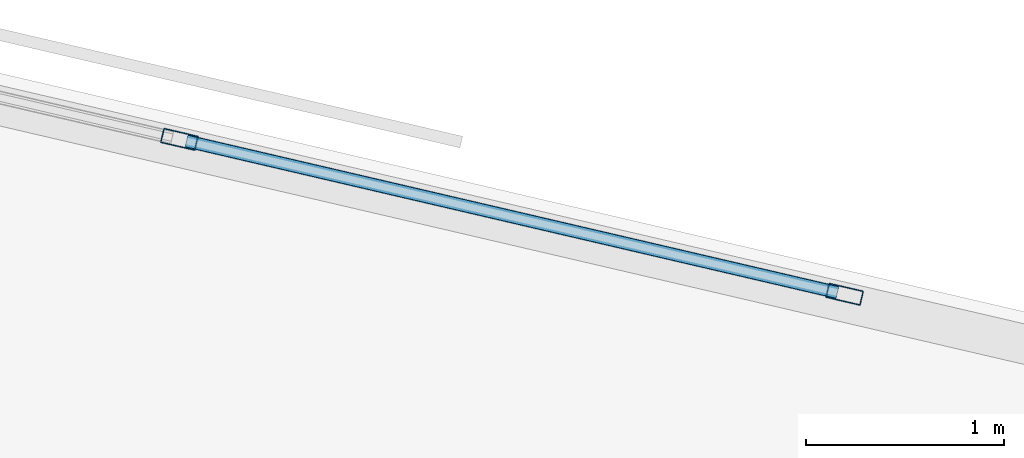
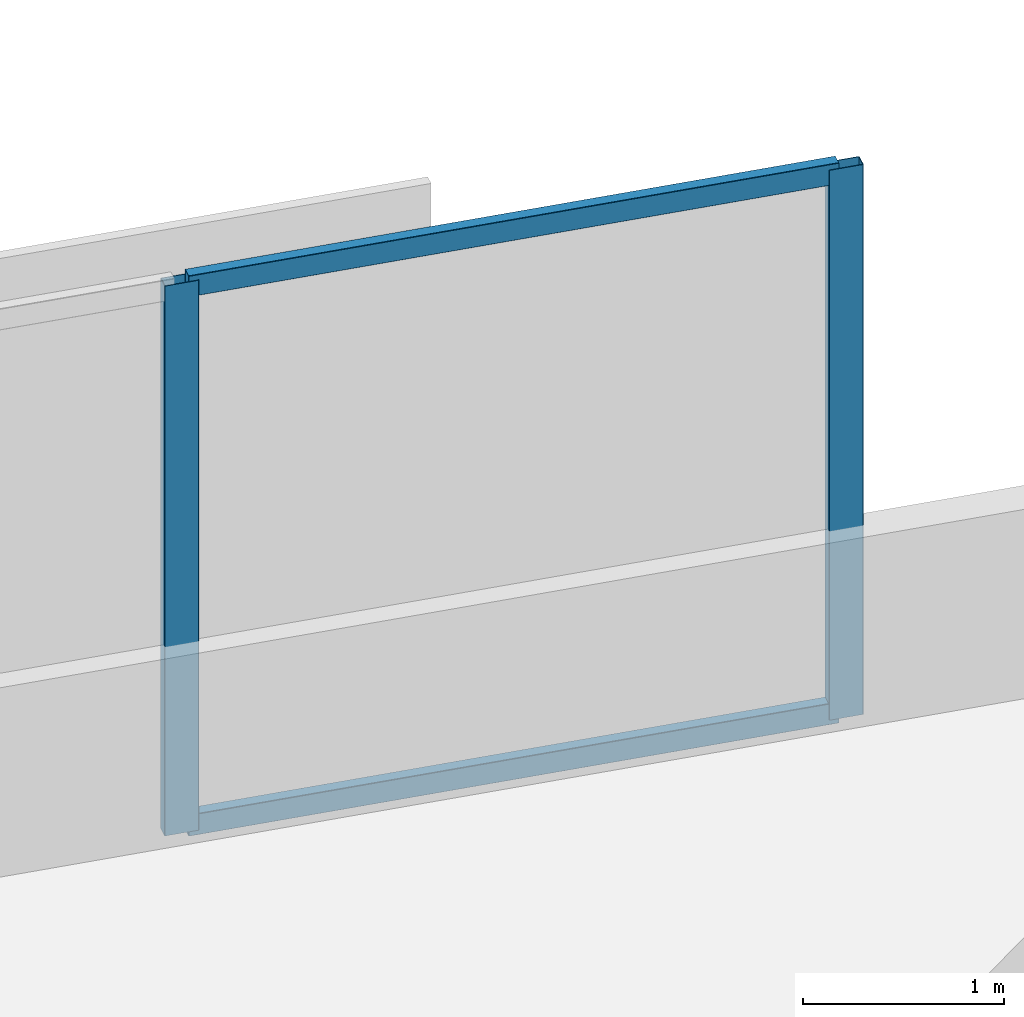
# One storey, part 2 of 14: 4 members, 1 element without a shape of its own.
"""IFC4 building model written with IfcOpenShell, lengths in metres."""

import ifcopenshell
import ifcopenshell.guid

model = None  # the IFC model being written
_history = None  # IfcOwnerHistory: only IFC2X3 demands one
_inside = {}  # id of a spatial element -> (the spatial element, [elements in it])
_under = {}  # id of a project, library or spatial element -> (it, [spatial elements below it])
_declared = {}  # id of a project -> (the project, [libraries it declares])
_typed = {}  # id of a type object -> (the type object, [elements of that type])
_made_of = {}  # id of a material, layer set ... -> (it, [elements and type objects made of it])


def new_model(schema):
    """Start an empty IFC model of exactly this schema.

    Asked for "IFC4X3", IfcOpenShell would pick the latest addendum, in which some entities
    have other attributes; the version numbers below select the first issue.
    IFC2X3 requires an IfcOwnerHistory on every rooted entity: one is made here for all.
    """
    global model, _history
    if schema == "IFC4X3":
        model = ifcopenshell.file(schema_version=(4, 3, 0, 0))
    else:
        model = ifcopenshell.file(schema=schema)
    _inside.clear()
    _under.clear()
    _declared.clear()
    _typed.clear()
    _made_of.clear()
    _history = None
    if model.schema == "IFC2X3":
        org = make("IfcOrganization", Name="unknown")
        user = make(
            "IfcPersonAndOrganization",
            ThePerson=make("IfcPerson", FamilyName="unknown"),
            TheOrganization=org,
        )
        app = make(
            "IfcApplication",
            ApplicationDeveloper=org,
            Version="unknown",
            ApplicationFullName="unknown",
            ApplicationIdentifier="unknown",
        )
        _history = make(
            "IfcOwnerHistory",
            OwningUser=user,
            OwningApplication=app,
            ChangeAction="ADDED",
            CreationDate=0,
        )
    return model


def make(cls, **values):
    """One entity of the class cls with the attributes given. An attribute that is None is left unset."""
    return model.create_entity(
        cls, **{name: value for name, value in values.items() if value is not None}
    )


def rooted(cls, **values):
    """An entity with a GlobalId (a new one), such as an element, a storey or a relation."""
    return make(cls, GlobalId=ifcopenshell.guid.new(), OwnerHistory=_history, **values)


def si_unit(unit_type, name, prefix=None):
    """IfcSIUnit, for example si_unit("LENGTHUNIT", "METRE", prefix="MILLI")."""
    return make("IfcSIUnit", UnitType=unit_type, Prefix=prefix, Name=name)


def assignment(units):
    """IfcUnitAssignment: the units of a project."""
    return None if units is None else make("IfcUnitAssignment", Units=units)


def point(xyz):
    """IfcCartesianPoint."""
    return None if xyz is None else make("IfcCartesianPoint", Coordinates=xyz)


def direction(xyz):
    """IfcDirection."""
    return None if xyz is None else make("IfcDirection", DirectionRatios=xyz)


def frame(location, z_axis=None, x_axis=None):
    """IfcAxis2Placement3D, a coordinate frame: its origin and axes. An axis left out is left unset."""
    return make(
        "IfcAxis2Placement3D",
        Location=point(location),
        Axis=direction(z_axis),
        RefDirection=direction(x_axis),
    )


def frame_2d(location, x_axis=None):
    """IfcAxis2Placement2D, a coordinate frame in the plane: its origin and x axis."""
    return make(
        "IfcAxis2Placement2D", Location=point(location), RefDirection=direction(x_axis)
    )


def origin():
    """The frame at (0, 0, 0) with its axes left unset."""
    return frame((0.0, 0.0, 0.0))


def origin_2d():
    """The frame at (0, 0) in the plane with its x axis left unset."""
    return frame_2d((0.0, 0.0))


def place(relative_to, where):
    """IfcLocalPlacement: puts the frame where relative to a parent placement (None: the world)."""
    return make(
        "IfcLocalPlacement", PlacementRelTo=relative_to, RelativePlacement=where
    )


def context(
    kind, dimensions, precision=None, world=None, true_north=None, identifier=None
):
    """IfcGeometricRepresentationContext, for example the 3D "Model" context."""
    return make(
        "IfcGeometricRepresentationContext",
        ContextIdentifier=identifier,
        ContextType=kind,
        CoordinateSpaceDimension=dimensions,
        Precision=precision,
        WorldCoordinateSystem=world,
        TrueNorth=true_north,
    )


def subcontext(parent, identifier, kind, view, scale=None):
    """IfcGeometricRepresentationSubContext, for example "Body" below "Model"."""
    return make(
        "IfcGeometricRepresentationSubContext",
        ContextIdentifier=identifier,
        ContextType=kind,
        ParentContext=parent,
        TargetScale=scale,
        TargetView=view,
    )


def project(units=None, contexts=None):
    """IfcProject with its units and contexts."""
    return rooted(
        "IfcProject",
        Name="project",
        RepresentationContexts=contexts,
        UnitsInContext=assignment(units),
    )


def spatial(cls, under=None, at=None, **own):
    """A site, building, storey or space (cls), placed at a placement, below another one or the project."""
    s = rooted(cls, ObjectPlacement=at, **own)
    if under is not None:
        _under.setdefault(under.id(), (under, []))[1].append(s)
    return s


def profile(cls, at=None, kind="AREA", **sizes):
    """A parametric profile (cls). Its sizes go by their IFC names, for example OverallWidth=200.0."""
    return make(cls, ProfileType=kind, Position=at, **sizes)


def hollow_rectangle(**sizes):
    """IfcRectangleHollowProfileDef."""
    return profile("IfcRectangleHollowProfileDef", **sizes)


def extrude(swept, where, along, depth):
    """IfcExtrudedAreaSolid: the profile swept, set in the frame where, extruded along a direction by depth."""
    return make(
        "IfcExtrudedAreaSolid",
        SweptArea=swept,
        Position=where,
        ExtrudedDirection=direction(along),
        Depth=depth,
    )


def shape(context_of_items, identifier, shape_type, items):
    """IfcShapeRepresentation: the items that make up one representation, for example the "Body"."""
    return make(
        "IfcShapeRepresentation",
        ContextOfItems=context_of_items,
        RepresentationIdentifier=identifier,
        RepresentationType=shape_type,
        Items=items,
    )


def material(Name=None, Category=None):
    """IfcMaterial."""
    return make("IfcMaterial", Name=Name, Category=Category)


def material_profile(
    of_material, cross_section, Name=None, Category=None, Priority=None
):
    """IfcMaterialProfile: a cross section and its material."""
    return make(
        "IfcMaterialProfile",
        Name=Name,
        Material=of_material,
        Profile=cross_section,
        Priority=Priority,
        Category=Category,
    )


def profile_set(profiles, Name=None, composite=None):
    """IfcMaterialProfileSet."""
    return make(
        "IfcMaterialProfileSet",
        Name=Name,
        MaterialProfiles=profiles,
        CompositeProfile=composite,
    )


def made_of(thing, what):
    """Note that an element or type object is made of a material, layer set ...; save() writes the relation."""
    if what is not None:
        _made_of.setdefault(what.id(), (what, []))[1].append(thing)
    return thing


def type_object(cls, material=None, **own):
    """A type object (cls), such as IfcWallType, which elements share."""
    return made_of(rooted(cls, **own), material)


def element(
    cls,
    number,
    at=None,
    inside=None,
    cuts=None,
    type_object=None,
    material=None,
    context=None,
    identifier="Body",
    shape_type=None,
    held_by="IfcProductDefinitionShape",
    body=None,
    shapes=None,
    **own,
):
    """One element of the class cls, such as IfcWall. Its Tag is "e" and its number.

    at: its placement. inside: the storey or other place that contains it. cuts: it is an
    opening in that element (IfcRelVoidsElement). A single representation is given by context,
    identifier, shape_type and body (its items); several are given by shapes. held_by: the class
    of the entity that holds the representations. save() writes the other relations.
    """
    e = rooted(cls, Tag="e%d" % number, ObjectPlacement=at, **own)
    if body is not None:
        shapes = [shape(context, identifier, shape_type, body)]
    if shapes is not None:
        e.Representation = make(held_by, Representations=shapes)
    if inside is not None:
        _inside.setdefault(inside.id(), (inside, []))[1].append(e)
    if cuts is not None:
        rooted(
            "IfcRelVoidsElement", RelatingBuildingElement=cuts, RelatedOpeningElement=e
        )
    if type_object is not None:
        _typed.setdefault(type_object.id(), (type_object, []))[1].append(e)
    return made_of(e, material)


def aggregate(whole, parts):
    """IfcRelAggregates: a whole, such as a stair, and the parts it consists of."""
    return rooted("IfcRelAggregates", RelatingObject=whole, RelatedObjects=parts)


def save(model, path):
    """Write the relations noted so far, then the file.

    IfcRelAggregates (storeys below a building ...), IfcRelContainedInSpatialStructure (elements
    in a storey), IfcRelDefinesByType, IfcRelAssociatesMaterial and IfcRelDeclares: one each for
    every whole, place, type object, material and project.
    """
    for whole, parts in _under.values():
        aggregate(whole, parts)
    for where, things in _inside.values():
        rooted(
            "IfcRelContainedInSpatialStructure",
            RelatedElements=things,
            RelatingStructure=where,
        )
    for kind, things in _typed.values():
        rooted("IfcRelDefinesByType", RelatedObjects=things, RelatingType=kind)
    for what, things in _made_of.values():
        rooted("IfcRelAssociatesMaterial", RelatedObjects=things, RelatingMaterial=what)
    for by, libraries in _declared.values():
        rooted("IfcRelDeclares", RelatingContext=by, RelatedDefinitions=libraries)
    model.write(path)


model = new_model("IFC4")

# Units and contexts
model_context = context("Model", 3, precision=1e-05, world=origin(), true_north=direction((0.0, 1.0)))
body_context = subcontext(model_context, "Body", "Model", "MODEL_VIEW")
ifc_project = project(units=[si_unit("LENGTHUNIT", "METRE"), si_unit("AREAUNIT", "SQUARE_METRE"), si_unit("VOLUMEUNIT", "CUBIC_METRE"), si_unit("PLANEANGLEUNIT", "RADIAN"), si_unit("MASSUNIT", "GRAM", prefix="KILO")], contexts=[model_context])

# Site, building, storey
site_placement = place(None, origin())
site = spatial("IfcSite", under=ifc_project, at=site_placement, CompositionType="ELEMENT")
building_placement = place(site_placement, origin())
building = spatial("IfcBuilding", under=site, at=building_placement, Name="Narakoshi Arena Tower", CompositionType="ELEMENT")
storey_placement = place(building_placement, frame((0.0, 0.0, 168.300048828125)))
storey = spatial("IfcBuildingStorey", under=building, at=storey_placement, Name="L45", CompositionType="ELEMENT", Elevation=168.300048828125)

# Curtain wall, members
ifc_material = material(Name="Anodised bronze aluminium 6063-T6", Category="aluminium")
curtain_wall_type = type_object("IfcCurtainWallType", Name="CW-HYP-MID", PredefinedType="NOTDEFINED", material=ifc_material)
curtain_wall_placement = place(storey_placement, origin())
curtain_wall = element("IfcCurtainWall", 1, at=curtain_wall_placement, inside=storey, type_object=curtain_wall_type, Name="L45 Folded Hypotenuse Curtain Wall 2-1", PredefinedType="NOTDEFINED")
ifc_material_profile_1 = material_profile(ifc_material, hollow_rectangle(XDim=0.074951171875, YDim=0.179931640625, WallThickness=0.00390625, OuterFilletRadius=0.0048828125, at=origin_2d()), Name="MUL180x75x4")
ifc_profile_set_1 = profile_set([ifc_material_profile_1], Name="Anodised bronze aluminium 6063-T6")
member_type_1 = type_object("IfcMemberType", Name="MEM-MUL-180", PredefinedType="MULLION", material=ifc_profile_set_1)
member_1_placement = place(storey_placement, frame((85.6767578125, 62.869384765625, 0.0), z_axis=(0.0, 0.0, 1.0), x_axis=(-0.226721182724, -0.973959704148, 0.0)))
member_1 = element("IfcMember", 2, at=member_1_placement, type_object=member_type_1, Name="CW-02 mullion 1", PredefinedType="MULLION", context=body_context, shape_type="SweptSolid", body=[
    extrude(hollow_rectangle(XDim=0.074951171875, YDim=0.179931640625, WallThickness=0.00390625, OuterFilletRadius=0.0048828125, at=origin_2d()), origin(), (0.0, 0.0, 1.0), 3.33984375),
])
member_2_placement = place(storey_placement, frame((82.312255859375, 63.652587890625, 0.0), z_axis=(0.0, 0.0, 1.0), x_axis=(-0.226721182724, -0.973959704148, 0.0)))
member_2 = element("IfcMember", 3, at=member_2_placement, type_object=member_type_1, Name="CW-02 mullion 2", PredefinedType="MULLION", context=body_context, shape_type="SweptSolid", body=[
    extrude(hollow_rectangle(XDim=0.074951171875, YDim=0.179931640625, WallThickness=0.00390625, OuterFilletRadius=0.0048828125, at=origin_2d()), origin(), (0.0, 0.0, 1.0), 3.33984375),
])
ifc_material_profile_2 = material_profile(ifc_material, hollow_rectangle(XDim=0.06494140625, YDim=0.1298828125, WallThickness=0.00390625, OuterFilletRadius=0.0048828125, at=origin_2d()), Name="TRN130x65x4")
ifc_profile_set_2 = profile_set([ifc_material_profile_2], Name="Anodised bronze aluminium 6063-T6")
member_type_2 = type_object("IfcMemberType", Name="MEM-TRN-130", PredefinedType="USERDEFINED", material=ifc_profile_set_2)
member_3_placement = place(storey_placement, frame((85.64013671875, 62.8779296875, 0.032470703125), z_axis=(-0.973946086847, 0.226779672622, 0.0), x_axis=(-0.226779672622, -0.973946086847, 0.0)))
member_3 = element("IfcMember", 4, at=member_3_placement, type_object=member_type_2, Name="CW-02 transom 1.1", ObjectType="TRANSOM", PredefinedType="USERDEFINED", context=body_context, shape_type="SweptSolid", body=[
    extrude(hollow_rectangle(XDim=0.06494140625, YDim=0.1298828125, WallThickness=0.00390625, OuterFilletRadius=0.0048828125, at=origin_2d()), origin(), (0.0, 0.0, 1.0), 3.37939453125),
])
member_4_placement = place(storey_placement, frame((85.64013671875, 62.8779296875, 3.307373046875), z_axis=(-0.973946086847, 0.226779672622, 0.0), x_axis=(-0.226779672622, -0.973946086847, 0.0)))
member_4 = element("IfcMember", 5, at=member_4_placement, type_object=member_type_2, Name="CW-02 transom 1.2", ObjectType="TRANSOM", PredefinedType="USERDEFINED", context=body_context, shape_type="SweptSolid", body=[
    extrude(hollow_rectangle(XDim=0.06494140625, YDim=0.1298828125, WallThickness=0.00390625, OuterFilletRadius=0.0048828125, at=origin_2d()), origin(), (0.0, 0.0, 1.0), 3.37939453125),
])
aggregate(curtain_wall, [member_1, member_2, member_3, member_4])

save(model, "model.ifc")
